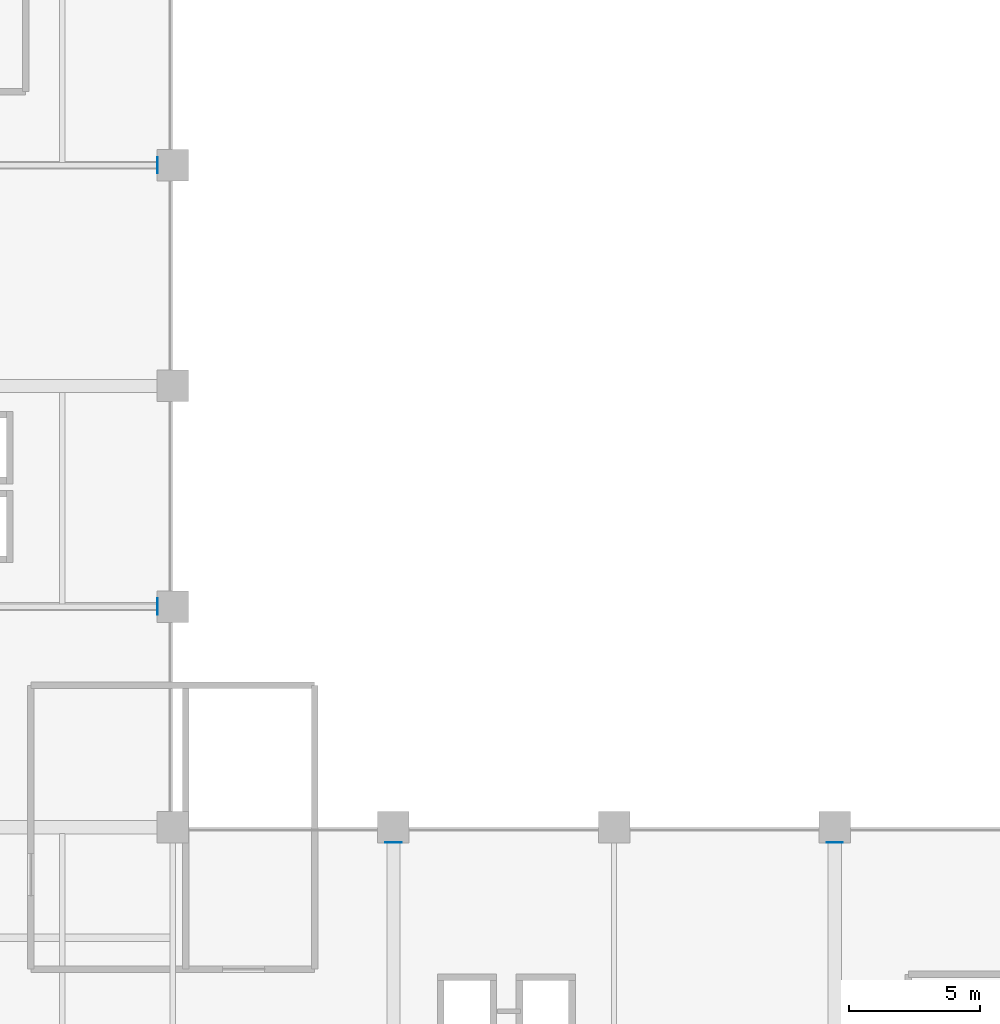
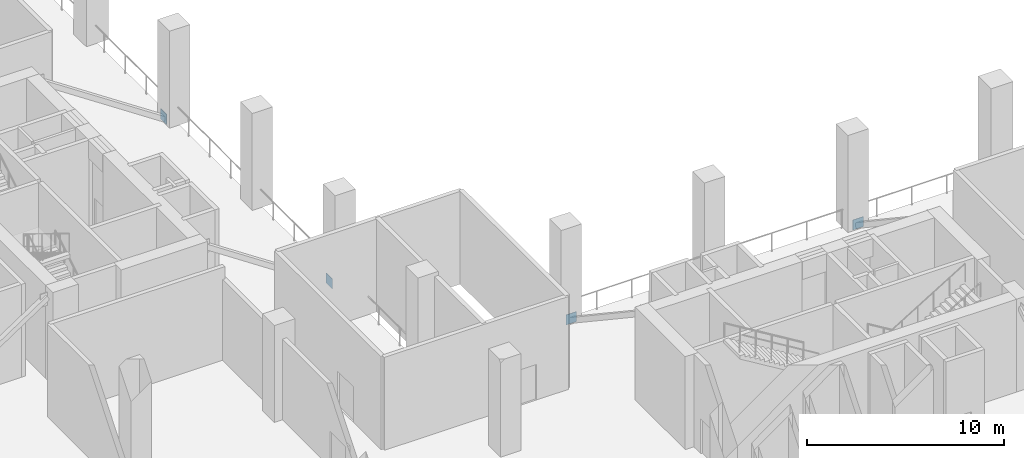
# One storey, part 9 of 19: 4 plates.
"""IFC4 building model written with IfcOpenShell, lengths in metres."""

from ifc_helpers import new_model, si_unit, direction, frame, origin, origin_2d, place, context, subcontext, project, spatial, rectangle, extrude, material, layer, layer_set, type_object, element, save


model = new_model("IFC4")

# Units and contexts
model_context = context("Model", 3, precision=1e-05, world=origin(), true_north=direction((0.0, 1.0)))
body_context = subcontext(model_context, "Body", "Model", "MODEL_VIEW")
ifc_project = project(units=[si_unit("LENGTHUNIT", "METRE"), si_unit("AREAUNIT", "SQUARE_METRE"), si_unit("VOLUMEUNIT", "CUBIC_METRE"), si_unit("PLANEANGLEUNIT", "RADIAN"), si_unit("MASSUNIT", "GRAM", prefix="KILO")], contexts=[model_context])

# Site, building, storey
site_placement = place(None, origin())
site = spatial("IfcSite", under=ifc_project, at=site_placement, CompositionType="ELEMENT")
building_placement = place(site_placement, origin())
building = spatial("IfcBuilding", under=site, at=building_placement, Name="Koriwani Terraces Tower", CompositionType="ELEMENT")
storey_placement = place(building_placement, frame((0.0, 0.0, 94.0)))
storey = spatial("IfcBuildingStorey", under=building, at=storey_placement, Name="L22", CompositionType="ELEMENT", Elevation=94.0)

# Plates
ifc_material = material(Name="Steel ASTM A572 Grade 50", Category="steel")
ifc_layer = layer(ifc_material, 0.02490234375, Name="Steel ASTM A572 Grade 50")
ifc_layer_set = layer_set([ifc_layer], Name="Steel ASTM A572 Grade 50")
plate_type = type_object("IfcPlateType", Name="STEEL_CAP_PLATE_25", PredefinedType="USERDEFINED", material=ifc_layer_set)
for number, where, z_axis, x_axis, name in (
    (1, (33.02001953125, 42.0, 0.0400390625), (0.0, 0.0, 1.0), (-1.0, 0.0, 0.0), "Outrigger truss hollow end cap plate L22-OW-E1"),
    (2, (33.02001953125, 58.800048828125, 0.0400390625), (0.0, 0.0, 1.0), (-1.0, 0.0, 0.0), "Outrigger truss hollow end cap plate L22-OW-E2"),
    (3, (42.0, 33.02001953125, 0.0400390625), (0.0, 0.0, 1.0), (0.0, -1.0, 0.0), "Outrigger truss hollow end cap plate L22-OE-N1"),
    (4, (58.800048828125, 33.02001953125, 0.0400390625), (0.0, 0.0, 1.0), (0.0, -1.0, 0.0), "Outrigger truss hollow end cap plate L22-OE-N2"),
):
    element("IfcPlate", number, at=place(storey_placement, frame(where, z_axis=z_axis, x_axis=x_axis)), inside=storey, type_object=plate_type, Name=name, ObjectType="FLANGE_PLATE", PredefinedType="USERDEFINED", context=body_context, shape_type="SweptSolid", body=[
        extrude(rectangle(XDim=0.02490234375, YDim=0.6201171875, at=origin_2d()), origin(), (0.0, 0.0, 1.0), 0.6201171875),
    ])

save(model, "model.ifc")
